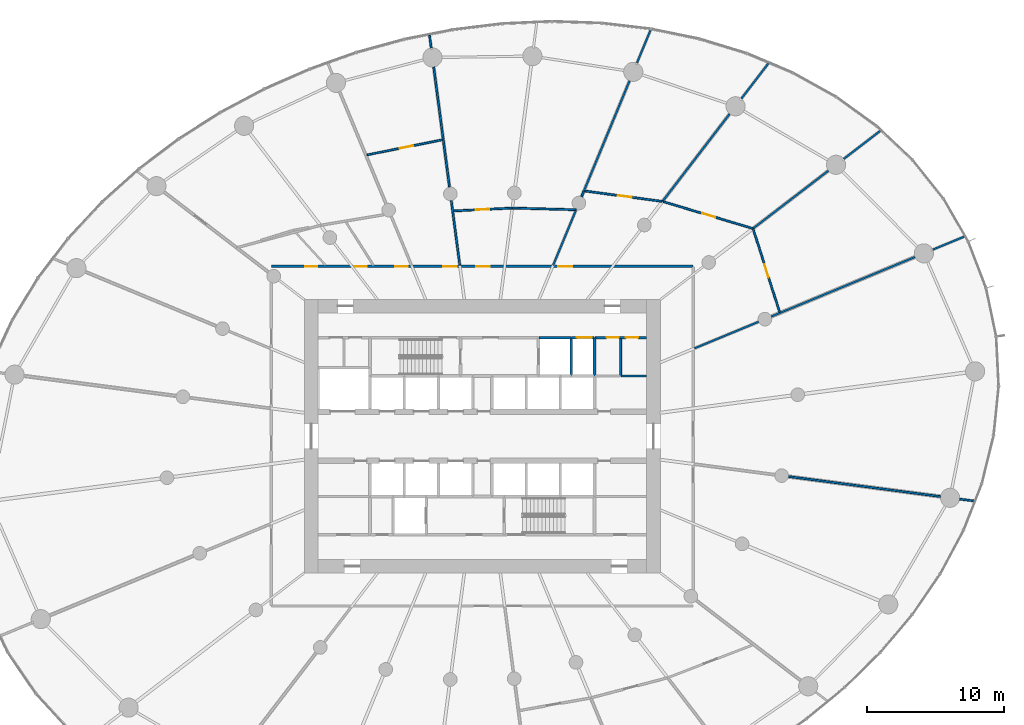
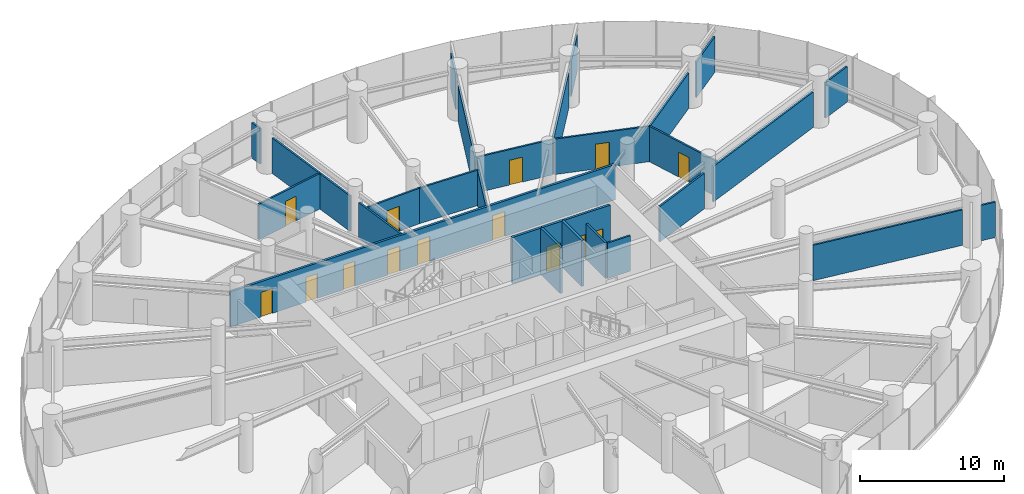
# One storey, part 14 of 18: 31 walls, 14 doors, 14 openings.
"""IFC4 building model written with IfcOpenShell, lengths in metres."""

from ifc_helpers import new_model, si_unit, direction, frame, frame_2d, origin, place, context, subcontext, project, spatial, rectangle, extrude, source, transform, mapped, material, layer, layer_set, type_object, element, fill, save


model = new_model("IFC4")

# Units and contexts
model_context = context("Model", 3, precision=1e-05, world=origin(), true_north=direction((0.0, 1.0)))
body_context = subcontext(model_context, "Body", "Model", "MODEL_VIEW")
ifc_project = project(units=[si_unit("LENGTHUNIT", "METRE"), si_unit("AREAUNIT", "SQUARE_METRE"), si_unit("VOLUMEUNIT", "CUBIC_METRE"), si_unit("PLANEANGLEUNIT", "RADIAN"), si_unit("MASSUNIT", "GRAM", prefix="KILO")], contexts=[model_context])

# Site, building, storey
site_placement = place(None, origin())
site = spatial("IfcSite", under=ifc_project, at=site_placement, CompositionType="ELEMENT")
building_placement = place(site_placement, origin())
building = spatial("IfcBuilding", under=site, at=building_placement, Name="Spindrift Exchange Tower", CompositionType="ELEMENT")
storey_placement = place(building_placement, frame((0.0, 0.0, 71.0)))
storey = spatial("IfcBuildingStorey", under=building, at=storey_placement, Name="L16", CompositionType="ELEMENT", Elevation=71.0)

# Wall, openings, doors
ifc_material_1 = material(Name="Fire-rated plasterboard partition", Category="gypsum")
ifc_layer_1 = layer(ifc_material_1, 0.179931640625)
ifc_layer_set_1 = layer_set([ifc_layer_1], Name="W-CORR-180")
wall_type_1 = type_object("IfcWallType", Name="W-CORR-180", PredefinedType="PARTITIONING", material=ifc_layer_set_1)
wall_1_placement = place(storey_placement, frame((63.97998046875, 55.199951171875, 0.0), z_axis=(0.0, 0.0, 1.0), x_axis=(-1.0, 0.0, 0.0)))
wall_1 = element("IfcWall", 1, at=wall_1_placement, inside=storey, type_object=wall_type_1, Name="L16 Partition wall 64", PredefinedType="PARTITIONING", context=body_context, shape_type="SweptSolid", body=[
    extrude(rectangle(XDim=3.75, YDim=0.179931640625, at=frame_2d((1.875, 0.0))), origin(), (0.0, 0.0, 1.0), 3.89990234375),
])
opening_1_placement = place(wall_1_placement, frame((2.0, 0.0, 0.0)))
opening_1 = element("IfcOpeningElement", 2, at=opening_1_placement, cuts=wall_1, Name="Opening L16-D52", PredefinedType="OPENING", context=body_context, shape_type="SweptSolid", body=[
    extrude(rectangle(XDim=0.89990234375, YDim=2.10009765625, at=frame_2d((0.449951171875, 1.050048828125))), frame((0.0, 0.099853515625, 0.0), z_axis=(0.0, -1.0, 0.0), x_axis=(1.0, 0.0, 0.0)), (0.0, 0.0, 1.0), 0.199951171875),
])
opening_2_placement = place(wall_1_placement, frame((0.60009765625, 0.0, 0.0)))
opening_2 = element("IfcOpeningElement", 3, at=opening_2_placement, cuts=wall_1, Name="Opening L16-D53", PredefinedType="OPENING", context=body_context, shape_type="SweptSolid", body=[
    extrude(rectangle(XDim=0.89990234375, YDim=2.10009765625, at=frame_2d((0.449951171875, 1.050048828125))), frame((0.0, 0.099853515625, 0.0), z_axis=(0.0, -1.0, 0.0), x_axis=(1.0, 0.0, 0.0)), (0.0, 0.0, 1.0), 0.199951171875),
])
ifc_material_2 = material(Name="Steel access door", Category="steel")
door_type_1 = type_object("IfcDoorType", Name="DR-RISER-900", OperationType="NOTDEFINED", PredefinedType="DOOR", material=ifc_material_2)
shared_shape_1 = source(origin(), body_context, "Body", "SweptSolid", [
    extrude(rectangle(XDim=0.89990234375, YDim=2.10009765625, at=frame_2d((0.449951171875, 1.050048828125))), frame((0.0, 0.02490234375, 0.0), z_axis=(0.0, -1.0, 0.0), x_axis=(1.0, 0.0, 0.0)), (0.0, 0.0, 1.0), 0.050048828125),
])
door_1_placement = place(opening_1_placement, origin())
door_1 = element("IfcDoor", 4, at=door_1_placement, inside=storey, type_object=door_type_1, Name="L16 Riser door 52", OperationType="SINGLE_SWING_RIGHT", OverallHeight=2.10009765625, OverallWidth=0.89990234375, PredefinedType="DOOR", context=body_context, shape_type="MappedRepresentation", body=[
    mapped(shared_shape_1, transform((0.0, 0.0, 0.0), scale=1.0)),
])
fill(opening_1, door_1)
door_2_placement = place(opening_2_placement, origin())
door_2 = element("IfcDoor", 5, at=door_2_placement, inside=storey, type_object=door_type_1, Name="L16 Riser door 53", OperationType="SINGLE_SWING_LEFT", OverallHeight=2.10009765625, OverallWidth=0.89990234375, PredefinedType="DOOR", context=body_context, shape_type="MappedRepresentation", body=[
    mapped(shared_shape_1, transform((0.0, 0.0, 0.0), scale=1.0)),
])
fill(opening_2, door_2)

# Walls
ifc_layer_2 = layer(ifc_material_1, 0.139892578125)
ifc_layer_set_2 = layer_set([ifc_layer_2], Name="W-PART-140")
wall_type_2 = type_object("IfcWallType", Name="W-PART-140", PredefinedType="PARTITIONING", material=ifc_layer_set_2)
wall_2_placement = place(storey_placement, frame((74.36328125, 45.055908203125, 0.0), z_axis=(0.0, 0.0, 1.0), x_axis=(0.991443306772, -0.130538000051, 0.0)))
element("IfcWall", 6, at=wall_2_placement, inside=storey, type_object=wall_type_2, Name="L16 Partition wall 68", PredefinedType="PARTITIONING", context=body_context, shape_type="SweptSolid", body=[
    extrude(rectangle(XDim=11.1953125, YDim=0.139892578125, at=frame_2d((5.59765625, 0.0))), origin(), (0.0, 0.0, 1.0), 3.0),
])
wall_3_placement = place(storey_placement, frame((59.422607421875, 65.919921875, 0.0), z_axis=(0.0, 0.0, 1.0), x_axis=(0.382676362581, 0.92388246088, 0.0)))
element("IfcWall", 7, at=wall_3_placement, inside=storey, type_object=wall_type_2, Name="L16 Partition wall 74", PredefinedType="PARTITIONING", context=body_context, shape_type="SweptSolid", body=[
    extrude(rectangle(XDim=8.70263671875, YDim=0.139892578125, at=frame_2d((4.351318359375, 0.0))), origin(), (0.0, 0.0, 1.0), 3.0),
])
wall_4_placement = place(storey_placement, frame((65.15771484375, 65.1474609375, 0.0), z_axis=(0.0, 0.0, 1.0), x_axis=(0.608766021213, 0.793349816548, 0.0)))
element("IfcWall", 8, at=wall_4_placement, inside=storey, type_object=wall_type_2, Name="L16 Partition wall 75", PredefinedType="PARTITIONING", context=body_context, shape_type="SweptSolid", body=[
    extrude(rectangle(XDim=8.058837890625, YDim=0.139892578125, at=frame_2d((4.029296875, 0.0))), origin(), (0.0, 0.0, 1.0), 3.0),
])
wall_5_placement = place(storey_placement, frame((71.770751953125, 63.170654296875, 0.0), z_axis=(0.0, 0.0, 1.0), x_axis=(0.793362269214, 0.608749792433, 0.0)))
element("IfcWall", 9, at=wall_5_placement, inside=storey, type_object=wall_type_2, Name="L16 Partition wall 76", PredefinedType="PARTITIONING", context=body_context, shape_type="SweptSolid", body=[
    extrude(rectangle(XDim=6.940185546875, YDim=0.139892578125, at=frame_2d((3.47021484375, 0.0))), origin(), (0.0, 0.0, 1.0), 3.0),
])
wall_6_placement = place(storey_placement, frame((49.14404296875, 69.6923828125, 0.0), z_axis=(0.0, 0.0, 1.0), x_axis=(-0.130515097822, 0.991446321916, 0.0)))
element("IfcWall", 10, at=wall_6_placement, inside=storey, type_object=wall_type_2, Name="L16 Partition wall 90", PredefinedType="PARTITIONING", context=body_context, shape_type="SweptSolid", body=[
    extrude(rectangle(XDim=5.316162109375, YDim=0.139892578125, at=frame_2d((2.658203125, 0.0))), origin(), (0.0, 0.0, 1.0), 3.0),
])
wall_7_placement = place(storey_placement, frame((58.85107421875, 64.539794921875, 0.0), z_axis=(0.0, 0.0, 1.0), x_axis=(-0.999641405582, 0.026777980617, 0.0)))
element("IfcWall", 11, at=wall_7_placement, inside=storey, type_object=wall_type_2, Name="L16 Partition wall 96", PredefinedType="PARTITIONING", context=body_context, shape_type="SweptSolid", body=[
    extrude(rectangle(XDim=4.658935546875, YDim=0.139892578125, at=frame_2d((2.32958984375, 0.0))), origin(), (0.0, 0.0, 1.0), 3.0),
])

# Wall, opening, door
wall_8_placement = place(storey_placement, frame((49.904296875, 64.455078125, 0.0), z_axis=(0.0, 0.0, 1.0), x_axis=(0.998809903791, 0.048772698191, 0.0)))
wall_8 = element("IfcWall", 12, at=wall_8_placement, inside=storey, type_object=wall_type_2, Name="L16 Partition wall 98", PredefinedType="PARTITIONING", context=body_context, shape_type="SweptSolid", body=[
    extrude(rectangle(XDim=4.264892578125, YDim=0.139892578125, at=frame_2d((2.13232421875, 0.0))), origin(), (0.0, 0.0, 1.0), 3.0),
])
opening_3_placement = place(wall_8_placement, frame((1.61474609375, 0.0, 0.0)))
opening_3 = element("IfcOpeningElement", 13, at=opening_3_placement, cuts=wall_8, Name="Opening L16-D44", PredefinedType="OPENING", context=body_context, shape_type="SweptSolid", body=[
    extrude(rectangle(XDim=1.0, YDim=2.10009765625, at=frame_2d((0.5, 1.050048828125))), frame((0.0, 0.079833984375, 0.0), z_axis=(0.0, -1.0, 0.0), x_axis=(1.0, 0.0, 0.0)), (0.0, 0.0, 1.0), 0.159912109375),
])
ifc_material_3 = material(Name="Timber-core fire door", Category="wood")
door_type_2 = type_object("IfcDoorType", Name="DR-ROOM-1000", OperationType="NOTDEFINED", PredefinedType="DOOR", material=ifc_material_3)
shared_shape_2 = source(origin(), body_context, "Body", "SweptSolid", [
    extrude(rectangle(XDim=1.0, YDim=2.10009765625, at=frame_2d((0.5, 1.050048828125))), frame((0.0, 0.02490234375, 0.0), z_axis=(0.0, -1.0, 0.0), x_axis=(1.0, 0.0, 0.0)), (0.0, 0.0, 1.0), 0.050048828125),
])
door_3_placement = place(opening_3_placement, origin())
door_3 = element("IfcDoor", 14, at=door_3_placement, inside=storey, type_object=door_type_2, Name="L16 Door 44", OperationType="SINGLE_SWING_RIGHT", OverallHeight=2.10009765625, OverallWidth=1.0, PredefinedType="DOOR", context=body_context, shape_type="MappedRepresentation", body=[
    mapped(shared_shape_2, transform((0.0, 0.0, 0.0), scale=1.0)),
])
fill(opening_3, door_3)

# Walls
wall_9_placement = place(storey_placement, frame((78.394287109375, 68.253173828125, 0.0), z_axis=(0.0, 0.0, 1.0), x_axis=(0.793347702256, 0.608768776569, 0.0)))
element("IfcWall", 15, at=wall_9_placement, inside=storey, type_object=wall_type_2, Name="L16 Partition wall 104", PredefinedType="PARTITIONING", context=body_context, shape_type="SweptSolid", body=[
    extrude(rectangle(XDim=3.3583984375, YDim=0.139892578125, at=frame_2d((1.67919921875, 0.0))), origin(), (0.0, 0.0, 1.0), 3.0),
])
wall_10_placement = place(storey_placement, frame((70.9208984375, 72.658447265625, 0.0), z_axis=(0.0, 0.0, 1.0), x_axis=(0.608787991926, 0.793332957141, 0.0)))
element("IfcWall", 16, at=wall_10_placement, inside=storey, type_object=wall_type_2, Name="L16 Partition wall 107", PredefinedType="PARTITIONING", context=body_context, shape_type="SweptSolid", body=[
    extrude(rectangle(XDim=3.2490234375, YDim=0.139892578125, at=frame_2d((1.62451171875, 0.0))), origin(), (0.0, 0.0, 1.0), 3.0),
])
wall_11_placement = place(storey_placement, frame((62.10009765625, 52.39990234375, 0.0), z_axis=(0.0, 0.0, 1.0), x_axis=(0.0, 1.0, 0.0)))
element("IfcWall", 17, at=wall_11_placement, inside=storey, type_object=wall_type_2, Name="L16 Partition wall 109", PredefinedType="PARTITIONING", context=body_context, shape_type="SweptSolid", body=[
    extrude(rectangle(XDim=2.710205078125, YDim=0.139892578125, at=frame_2d((1.35498046875, 0.0))), origin(), (0.0, 0.0, 1.0), 3.0),
])
wall_12_placement = place(storey_placement, frame((63.29248046875, 75.2626953125, 0.0), z_axis=(0.0, 0.0, 1.0), x_axis=(0.382735718693, 0.923857873072, 0.0)))
element("IfcWall", 18, at=wall_12_placement, inside=storey, type_object=wall_type_2, Name="L16 Partition wall 110", PredefinedType="PARTITIONING", context=body_context, shape_type="SweptSolid", body=[
    extrude(rectangle(XDim=2.58349609375, YDim=0.139892578125, at=frame_2d((1.291748046875, 0.0))), origin(), (0.0, 0.0, 1.0), 3.0),
])
wall_13_placement = place(storey_placement, frame((84.900146484375, 61.627685546875, 0.0), z_axis=(0.0, 0.0, 1.0), x_axis=(0.92388481198, 0.382670686352, 0.0)))
element("IfcWall", 19, at=wall_13_placement, inside=storey, type_object=wall_type_2, Name="L16 Partition wall 112", PredefinedType="PARTITIONING", context=body_context, shape_type="SweptSolid", body=[
    extrude(rectangle(XDim=2.479248046875, YDim=0.139892578125, at=frame_2d((1.23974609375, 0.0))), origin(), (0.0, 0.0, 1.0), 3.0),
])
wall_14_placement = place(storey_placement, frame((63.97998046875, 52.39990234375, 0.0), z_axis=(0.0, 0.0, 1.0), x_axis=(-1.0, 0.0, 0.0)))
element("IfcWall", 20, at=wall_14_placement, inside=storey, type_object=wall_type_2, Name="L16 Partition wall 115", PredefinedType="PARTITIONING", context=body_context, shape_type="SweptSolid", body=[
    extrude(rectangle(XDim=1.85009765625, YDim=0.139892578125, at=frame_2d((0.925048828125, 0.0))), origin(), (0.0, 0.0, 1.0), 3.0),
])
wall_15_placement = place(storey_placement, frame((86.859375, 43.41064453125, 0.0), z_axis=(0.0, 0.0, 1.0), x_axis=(0.991441129852, -0.130554532814, 0.0)))
element("IfcWall", 21, at=wall_15_placement, inside=storey, type_object=wall_type_2, Name="L16 Partition wall 118", PredefinedType="PARTITIONING", context=body_context, shape_type="SweptSolid", body=[
    extrude(rectangle(XDim=1.073486328125, YDim=0.139892578125, at=frame_2d((0.53662109375, 0.0))), origin(), (0.0, 0.0, 1.0), 3.0),
])
wall_16_placement = place(storey_placement, frame((48.266357421875, 76.359619140625, 0.0), z_axis=(0.0, 0.0, 1.0), x_axis=(-0.130495264695, 0.991448932569, 0.0)))
element("IfcWall", 22, at=wall_16_placement, inside=storey, type_object=wall_type_2, Name="L16 Partition wall 122", PredefinedType="PARTITIONING", context=body_context, shape_type="SweptSolid", body=[
    extrude(rectangle(XDim=0.929931640625, YDim=0.139892578125, at=frame_2d((0.46484375, 0.0))), origin(), (0.0, 0.0, 1.0), 3.0),
])
ifc_layer_3 = layer(ifc_material_1, 0.139892578125)
ifc_layer_set_3 = layer_set([ifc_layer_3], Name="W-PLANT-140")
wall_type_3 = type_object("IfcWallType", Name="W-PLANT-140", PredefinedType="PARTITIONING", material=ifc_layer_set_3)
wall_17_placement = place(storey_placement, frame((73.10595703125, 56.7421875, 0.0), z_axis=(0.0, 0.0, 1.0), x_axis=(0.923875075531, 0.382694192291, 0.0)))
element("IfcWall", 23, at=wall_17_placement, inside=storey, type_object=wall_type_3, Name="L16 Partition wall 65", PredefinedType="PARTITIONING", context=body_context, shape_type="SweptSolid", body=[
    extrude(rectangle(XDim=11.356201171875, YDim=0.139892578125, at=frame_2d((5.67822265625, 0.0))), origin(), (0.0, 0.0, 1.0), 3.0),
])

# Wall, opening, door
wall_18_placement = place(storey_placement, frame((65.2294921875, 65.126220703125, 0.0), z_axis=(0.0, 0.0, 1.0), x_axis=(0.95810065558, -0.286431726205, 0.0)))
wall_18 = element("IfcWall", 24, at=wall_18_placement, inside=storey, type_object=wall_type_3, Name="L16 Partition wall 77", PredefinedType="PARTITIONING", context=body_context, shape_type="SweptSolid", body=[
    extrude(rectangle(XDim=6.797607421875, YDim=0.139892578125, at=frame_2d((3.39892578125, 0.0))), origin(), (0.0, 0.0, 1.0), 3.0),
])
opening_4_placement = place(wall_18_placement, frame((2.947265625, 0.0, 0.0)))
opening_4 = element("IfcOpeningElement", 25, at=opening_4_placement, cuts=wall_18, Name="Opening L16-D41", PredefinedType="OPENING", context=body_context, shape_type="SweptSolid", body=[
    extrude(rectangle(XDim=1.0, YDim=2.10009765625, at=frame_2d((0.5, 1.050048828125))), frame((0.0, 0.079833984375, 0.0), z_axis=(0.0, -1.0, 0.0), x_axis=(1.0, 0.0, 0.0)), (0.0, 0.0, 1.0), 0.159912109375),
])
door_4_placement = place(opening_4_placement, origin())
door_4 = element("IfcDoor", 26, at=door_4_placement, inside=storey, type_object=door_type_2, Name="L16 Door 41", OperationType="SINGLE_SWING_LEFT", OverallHeight=2.10009765625, OverallWidth=1.0, PredefinedType="DOOR", context=body_context, shape_type="MappedRepresentation", body=[
    mapped(shared_shape_2, transform((0.0, 0.0, 0.0), scale=1.0)),
])
fill(opening_4, door_4)

wall_19_placement = place(storey_placement, frame((71.77978515625, 63.14208984375, 0.0), z_axis=(0.0, 0.0, 1.0), x_axis=(0.303141987912, -0.952945399887, 0.0)))
wall_19 = element("IfcWall", 27, at=wall_19_placement, inside=storey, type_object=wall_type_3, Name="L16 Partition wall 81", PredefinedType="PARTITIONING", context=body_context, shape_type="SweptSolid", body=[
    extrude(rectangle(XDim=6.372802734375, YDim=0.139892578125, at=frame_2d((3.1865234375, 0.0))), origin(), (0.0, 0.0, 1.0), 3.0),
])
opening_5_placement = place(wall_19_placement, frame((2.722900390625, 0.0, 0.0)))
opening_5 = element("IfcOpeningElement", 28, at=opening_5_placement, cuts=wall_19, Name="Opening L16-D40", PredefinedType="OPENING", context=body_context, shape_type="SweptSolid", body=[
    extrude(rectangle(XDim=1.0, YDim=2.10009765625, at=frame_2d((0.5, 1.050048828125))), frame((0.0, 0.079833984375, 0.0), z_axis=(0.0, -1.0, 0.0), x_axis=(1.0, 0.0, 0.0)), (0.0, 0.0, 1.0), 0.159912109375),
])
door_5_placement = place(opening_5_placement, origin())
door_5 = element("IfcDoor", 29, at=door_5_placement, inside=storey, type_object=door_type_2, Name="L16 Door 40", OperationType="SINGLE_SWING_RIGHT", OverallHeight=2.10009765625, OverallWidth=1.0, PredefinedType="DOOR", context=body_context, shape_type="MappedRepresentation", body=[
    mapped(shared_shape_2, transform((0.0, 0.0, 0.0), scale=1.0)),
])
fill(opening_5, door_5)

wall_20_placement = place(storey_placement, frame((59.494384765625, 65.91015625, 0.0), z_axis=(0.0, 0.0, 1.0), x_axis=(0.991057166824, -0.133437970936, 0.0)))
wall_20 = element("IfcWall", 30, at=wall_20_placement, inside=storey, type_object=wall_type_3, Name="L16 Partition wall 86", PredefinedType="PARTITIONING", context=body_context, shape_type="SweptSolid", body=[
    extrude(rectangle(XDim=5.6845703125, YDim=0.139892578125, at=frame_2d((2.84228515625, 0.0))), origin(), (0.0, 0.0, 1.0), 3.0),
])
opening_6_placement = place(wall_20_placement, frame((2.4345703125, 0.0, 0.0)))
opening_6 = element("IfcOpeningElement", 31, at=opening_6_placement, cuts=wall_20, Name="Opening L16-D42", PredefinedType="OPENING", context=body_context, shape_type="SweptSolid", body=[
    extrude(rectangle(XDim=1.0, YDim=2.10009765625, at=frame_2d((0.5, 1.050048828125))), frame((0.0, 0.079833984375, 0.0), z_axis=(0.0, -1.0, 0.0), x_axis=(1.0, 0.0, 0.0)), (0.0, 0.0, 1.0), 0.159912109375),
])
door_6_placement = place(opening_6_placement, origin())
door_6 = element("IfcDoor", 32, at=door_6_placement, inside=storey, type_object=door_type_2, Name="L16 Door 42", OperationType="SINGLE_SWING_RIGHT", OverallHeight=2.10009765625, OverallWidth=1.0, PredefinedType="DOOR", context=body_context, shape_type="MappedRepresentation", body=[
    mapped(shared_shape_2, transform((0.0, 0.0, 0.0), scale=1.0)),
])
fill(opening_6, door_6)

wall_21_placement = place(storey_placement, frame((43.56640625, 68.543212890625, 0.0), z_axis=(0.0, 0.0, 1.0), x_axis=(0.980468350945, 0.196676924916, 0.0)))
wall_21 = element("IfcWall", 33, at=wall_21_placement, inside=storey, type_object=wall_type_3, Name="L16 Partition wall 87", PredefinedType="PARTITIONING", context=body_context, shape_type="SweptSolid", body=[
    extrude(rectangle(XDim=5.692626953125, YDim=0.139892578125, at=frame_2d((2.84619140625, 0.0))), origin(), (0.0, 0.0, 1.0), 3.0),
])
opening_7_placement = place(wall_21_placement, frame((2.442626953125, 0.0, 0.0)))
opening_7 = element("IfcOpeningElement", 34, at=opening_7_placement, cuts=wall_21, Name="Opening L16-D46", PredefinedType="OPENING", context=body_context, shape_type="SweptSolid", body=[
    extrude(rectangle(XDim=1.0, YDim=2.10009765625, at=frame_2d((0.5, 1.050048828125))), frame((0.0, 0.079833984375, 0.0), z_axis=(0.0, -1.0, 0.0), x_axis=(1.0, 0.0, 0.0)), (0.0, 0.0, 1.0), 0.159912109375),
])
door_7_placement = place(opening_7_placement, origin())
door_7 = element("IfcDoor", 35, at=door_7_placement, inside=storey, type_object=door_type_2, Name="L16 Door 46", OperationType="SINGLE_SWING_RIGHT", OverallHeight=2.10009765625, OverallWidth=1.0, PredefinedType="DOOR", context=body_context, shape_type="MappedRepresentation", body=[
    mapped(shared_shape_2, transform((0.0, 0.0, 0.0), scale=1.0)),
])
fill(opening_7, door_7)

# Walls
wall_22_placement = place(storey_placement, frame((67.489990234375, 54.416259765625, 0.0), z_axis=(0.0, 0.0, 1.0), x_axis=(0.923890025086, 0.382658100067, 0.0)))
element("IfcWall", 36, at=wall_22_placement, inside=storey, type_object=wall_type_3, Name="L16 Partition wall 92", PredefinedType="PARTITIONING", context=body_context, shape_type="SweptSolid", body=[
    extrude(rectangle(XDim=5.068359375, YDim=0.139892578125, at=frame_2d((2.5341796875, 0.0))), origin(), (0.0, 0.0, 1.0), 3.0),
])
wall_23_placement = place(storey_placement, frame((49.735107421875, 65.203125, 0.0), z_axis=(0.0, 0.0, 1.0), x_axis=(0.130548834981, -0.991441880135, 0.0)))
element("IfcWall", 37, at=wall_23_placement, inside=storey, type_object=wall_type_3, Name="L16 Partition wall 93", PredefinedType="PARTITIONING", context=body_context, shape_type="SweptSolid", body=[
    extrude(rectangle(XDim=4.75390625, YDim=0.139892578125, at=frame_2d((2.376953125, 0.0))), origin(), (0.0, 0.0, 1.0), 3.0),
])
wall_24_placement = place(storey_placement, frame((57.173583984375, 60.489990234375, 0.0), z_axis=(0.0, 0.0, 1.0), x_axis=(0.382647054989, 0.923894599675, 0.0)))
element("IfcWall", 38, at=wall_24_placement, inside=storey, type_object=wall_type_3, Name="L16 Partition wall 97", PredefinedType="PARTITIONING", context=body_context, shape_type="SweptSolid", body=[
    extrude(rectangle(XDim=4.30859375, YDim=0.139892578125, at=frame_2d((2.154296875, 0.0))), origin(), (0.0, 0.0, 1.0), 3.0),
])
wall_25_placement = place(storey_placement, frame((49.603515625, 66.203369140625, 0.0), z_axis=(0.0, 0.0, 1.0), x_axis=(-0.130526548141, 0.991444814516, 0.0)))
element("IfcWall", 39, at=wall_25_placement, inside=storey, type_object=wall_type_3, Name="L16 Partition wall 102", PredefinedType="PARTITIONING", context=body_context, shape_type="SweptSolid", body=[
    extrude(rectangle(XDim=3.419189453125, YDim=0.139892578125, at=frame_2d((1.70947265625, 0.0))), origin(), (0.0, 0.0, 1.0), 3.0),
])
wall_26_placement = place(storey_placement, frame((59.247802734375, 65.497802734375, 0.0), z_axis=(0.0, 0.0, 1.0), x_axis=(0.382705452121, 0.923870411322, 0.0)))
element("IfcWall", 40, at=wall_26_placement, inside=storey, type_object=wall_type_3, Name="L16 Partition wall 126", PredefinedType="PARTITIONING", context=body_context, shape_type="SweptSolid", body=[
    extrude(rectangle(XDim=0.4267578125, YDim=0.139892578125, at=frame_2d((0.21337890625, 0.0))), origin(), (0.0, 0.0, 1.0), 3.0),
])

# Wall, openings, doors
ifc_layer_4 = layer(ifc_material_1, 0.179931640625)
ifc_layer_set_4 = layer_set([ifc_layer_4], Name="W-PLANT-180")
wall_type_4 = type_object("IfcWallType", Name="W-PLANT-180", PredefinedType="PARTITIONING", material=ifc_layer_set_4)
wall_27_placement = place(storey_placement, frame((36.60009765625, 60.39990234375, 0.0), z_axis=(0.0, 0.0, 1.0), x_axis=(1.0, 0.0, 0.0)))
wall_27 = element("IfcWall", 41, at=wall_27_placement, inside=storey, type_object=wall_type_4, Name="L16 Partition wall 58", PredefinedType="PARTITIONING", context=body_context, shape_type="SweptSolid", body=[
    extrude(rectangle(XDim=30.7998046875, YDim=0.179931640625, at=frame_2d((15.39990234375, 0.0))), origin(), (0.0, 0.0, 1.0), 3.0),
])
opening_8_placement = place(wall_27_placement, frame((9.050048828125, 0.0, 0.0)))
opening_8 = element("IfcOpeningElement", 42, at=opening_8_placement, cuts=wall_27, Name="Opening L16-D24", PredefinedType="OPENING", context=body_context, shape_type="SweptSolid", body=[
    extrude(rectangle(XDim=0.89990234375, YDim=2.10009765625, at=frame_2d((0.449951171875, 1.050048828125))), frame((0.0, 0.099853515625, 0.0), z_axis=(0.0, -1.0, 0.0), x_axis=(1.0, 0.0, 0.0)), (0.0, 0.0, 1.0), 0.199951171875),
])
opening_9_placement = place(wall_27_placement, frame((6.050048828125, 0.0, 0.0)))
opening_9 = element("IfcOpeningElement", 43, at=opening_9_placement, cuts=wall_27, Name="Opening L16-D25", PredefinedType="OPENING", context=body_context, shape_type="SweptSolid", body=[
    extrude(rectangle(XDim=0.89990234375, YDim=2.10009765625, at=frame_2d((0.449951171875, 1.050048828125))), frame((0.0, 0.099853515625, 0.0), z_axis=(0.0, -1.0, 0.0), x_axis=(1.0, 0.0, 0.0)), (0.0, 0.0, 1.0), 0.199951171875),
])
opening_10_placement = place(wall_27_placement, frame((2.449951171875, 0.0, 0.0)))
opening_10 = element("IfcOpeningElement", 44, at=opening_10_placement, cuts=wall_27, Name="Opening L16-D26", PredefinedType="OPENING", context=body_context, shape_type="SweptSolid", body=[
    extrude(rectangle(XDim=0.89990234375, YDim=2.10009765625, at=frame_2d((0.449951171875, 1.050048828125))), frame((0.0, 0.099853515625, 0.0), z_axis=(0.0, -1.0, 0.0), x_axis=(1.0, 0.0, 0.0)), (0.0, 0.0, 1.0), 0.199951171875),
])
opening_11_placement = place(wall_27_placement, frame((20.949951171875, 0.0, 0.0)))
opening_11 = element("IfcOpeningElement", 45, at=opening_11_placement, cuts=wall_27, Name="Opening L16-D39", PredefinedType="OPENING", context=body_context, shape_type="SweptSolid", body=[
    extrude(rectangle(XDim=1.0, YDim=2.10009765625, at=frame_2d((0.5, 1.050048828125))), frame((0.0, 0.099853515625, 0.0), z_axis=(0.0, -1.0, 0.0), x_axis=(1.0, 0.0, 0.0)), (0.0, 0.0, 1.0), 0.199951171875),
])
opening_12_placement = place(wall_27_placement, frame((14.949951171875, 0.0, 0.0)))
opening_12 = element("IfcOpeningElement", 46, at=opening_12_placement, cuts=wall_27, Name="Opening L16-D43", PredefinedType="OPENING", context=body_context, shape_type="SweptSolid", body=[
    extrude(rectangle(XDim=1.0, YDim=2.10009765625, at=frame_2d((0.5, 1.050048828125))), frame((0.0, 0.099853515625, 0.0), z_axis=(0.0, -1.0, 0.0), x_axis=(1.0, 0.0, 0.0)), (0.0, 0.0, 1.0), 0.199951171875),
])
opening_13_placement = place(wall_27_placement, frame((12.550048828125, 0.0, 0.0)))
opening_13 = element("IfcOpeningElement", 47, at=opening_13_placement, cuts=wall_27, Name="Opening L16-D45", PredefinedType="OPENING", context=body_context, shape_type="SweptSolid", body=[
    extrude(rectangle(XDim=1.0, YDim=2.10009765625, at=frame_2d((0.5, 1.050048828125))), frame((0.0, 0.099853515625, 0.0), z_axis=(0.0, -1.0, 0.0), x_axis=(1.0, 0.0, 0.0)), (0.0, 0.0, 1.0), 0.199951171875),
])
door_8_placement = place(opening_11_placement, origin())
door_8 = element("IfcDoor", 48, at=door_8_placement, inside=storey, type_object=door_type_2, Name="L16 Door 39", OperationType="SINGLE_SWING_LEFT", OverallHeight=2.10009765625, OverallWidth=1.0, PredefinedType="DOOR", context=body_context, shape_type="MappedRepresentation", body=[
    mapped(shared_shape_2, transform((0.0, 0.0, 0.0), scale=1.0)),
])
fill(opening_11, door_8)
door_9_placement = place(opening_12_placement, origin())
door_9 = element("IfcDoor", 49, at=door_9_placement, inside=storey, type_object=door_type_2, Name="L16 Door 43", OperationType="SINGLE_SWING_LEFT", OverallHeight=2.10009765625, OverallWidth=1.0, PredefinedType="DOOR", context=body_context, shape_type="MappedRepresentation", body=[
    mapped(shared_shape_2, transform((0.0, 0.0, 0.0), scale=1.0)),
])
fill(opening_12, door_9)
door_10_placement = place(opening_13_placement, origin())
door_10 = element("IfcDoor", 50, at=door_10_placement, inside=storey, type_object=door_type_2, Name="L16 Door 45", OperationType="SINGLE_SWING_LEFT", OverallHeight=2.10009765625, OverallWidth=1.0, PredefinedType="DOOR", context=body_context, shape_type="MappedRepresentation", body=[
    mapped(shared_shape_2, transform((0.0, 0.0, 0.0), scale=1.0)),
])
fill(opening_13, door_10)
ifc_material_4 = material(Name="Laminate washroom door", Category="wood")
door_type_3 = type_object("IfcDoorType", Name="DR-WC-900", OperationType="NOTDEFINED", PredefinedType="DOOR", material=ifc_material_4)
shared_shape_3 = source(origin(), body_context, "Body", "SweptSolid", [
    extrude(rectangle(XDim=0.89990234375, YDim=2.10009765625, at=frame_2d((0.449951171875, 1.050048828125))), frame((0.0, 0.02490234375, 0.0), z_axis=(0.0, -1.0, 0.0), x_axis=(1.0, 0.0, 0.0)), (0.0, 0.0, 1.0), 0.050048828125),
])
door_11_placement = place(opening_8_placement, origin())
door_11 = element("IfcDoor", 51, at=door_11_placement, inside=storey, type_object=door_type_3, Name="L16 WC door 24", OperationType="SINGLE_SWING_RIGHT", OverallHeight=2.10009765625, OverallWidth=0.89990234375, PredefinedType="DOOR", context=body_context, shape_type="MappedRepresentation", body=[
    mapped(shared_shape_3, transform((0.0, 0.0, 0.0), scale=1.0)),
])
fill(opening_8, door_11)
door_12_placement = place(opening_9_placement, origin())
door_12 = element("IfcDoor", 52, at=door_12_placement, inside=storey, type_object=door_type_3, Name="L16 WC door 25", OperationType="SINGLE_SWING_LEFT", OverallHeight=2.10009765625, OverallWidth=0.89990234375, PredefinedType="DOOR", context=body_context, shape_type="MappedRepresentation", body=[
    mapped(shared_shape_3, transform((0.0, 0.0, 0.0), scale=1.0)),
])
fill(opening_9, door_12)
door_13_placement = place(opening_10_placement, origin())
door_13 = element("IfcDoor", 53, at=door_13_placement, inside=storey, type_object=door_type_3, Name="L16 WC door 26", OperationType="SINGLE_SWING_RIGHT", OverallHeight=2.10009765625, OverallWidth=0.89990234375, PredefinedType="DOOR", context=body_context, shape_type="MappedRepresentation", body=[
    mapped(shared_shape_3, transform((0.0, 0.0, 0.0), scale=1.0)),
])
fill(opening_10, door_13)

# Walls
ifc_material_5 = material(Name="Concrete 40 MPa", Category="concrete")
ifc_layer_5 = layer(ifc_material_5, 0.199951171875)
ifc_layer_set_5 = layer_set([ifc_layer_5], Name="W-SHAFT-200")
wall_type_5 = type_object("IfcWallType", Name="W-SHAFT-200", PredefinedType="SOLIDWALL", material=ifc_layer_set_5)
for number, where, z_axis, x_axis, name in (
    (54, (58.5, 52.39990234375, 0.0), (0.0, 0.0, 1.0), (0.0, 1.0, 0.0), "L16 Shaft wall 13"),
    (55, (60.199951171875, 52.39990234375, 0.0), (0.0, 0.0, 1.0), (0.0, 1.0, 0.0), "L16 Shaft wall 14"),
):
    element("IfcWall", number, at=place(storey_placement, frame(where, z_axis=z_axis, x_axis=x_axis)), inside=storey, type_object=wall_type_5, Name=name, PredefinedType="SOLIDWALL", context=body_context, shape_type="SweptSolid", body=[
        extrude(rectangle(XDim=2.800048828125, YDim=0.199951171875, at=frame_2d((1.39990234375, 0.0))), origin(), (0.0, 0.0, 1.0), 3.89990234375),
    ])
wall_28_placement = place(storey_placement, frame((58.469970703125, 55.199951171875, 0.0), z_axis=(0.0, 0.0, 1.0), x_axis=(-1.0, 0.0, 0.0)))
element("IfcWall", 56, at=wall_28_placement, inside=storey, type_object=wall_type_5, Name="L16 Shaft wall 22", PredefinedType="SOLIDWALL", context=body_context, shape_type="SweptSolid", body=[
    extrude(rectangle(XDim=2.340087890625, YDim=0.199951171875, at=frame_2d((1.169921875, 0.0))), origin(), (0.0, 0.0, 1.0), 3.89990234375),
])

# Wall, opening, door
wall_29_placement = place(storey_placement, frame((60.169921875, 55.199951171875, 0.0), z_axis=(0.0, 0.0, 1.0), x_axis=(-1.0, 0.0, 0.0)))
wall_29 = element("IfcWall", 57, at=wall_29_placement, inside=storey, type_object=wall_type_5, Name="L16 Shaft wall 43", PredefinedType="SOLIDWALL", context=body_context, shape_type="SweptSolid", body=[
    extrude(rectangle(XDim=1.639892578125, YDim=0.199951171875, at=frame_2d((0.81982421875, 0.0))), origin(), (0.0, 0.0, 1.0), 3.89990234375),
])
opening_14_placement = place(wall_29_placement, frame((0.169921875, 0.0, 0.0)))
opening_14 = element("IfcOpeningElement", 58, at=opening_14_placement, cuts=wall_29, Name="Opening L16-D11", PredefinedType="OPENING", context=body_context, shape_type="SweptSolid", body=[
    extrude(rectangle(XDim=1.10009765625, YDim=2.10009765625, at=frame_2d((0.550048828125, 1.050048828125))), frame((0.0, 0.10986328125, 0.0), z_axis=(0.0, -1.0, 0.0), x_axis=(1.0, 0.0, 0.0)), (0.0, 0.0, 1.0), 0.219970703125),
])
ifc_material_6 = material(Name="Stainless steel landing door", Category="steel")
door_type_4 = type_object("IfcDoorType", Name="DR-LANDING-1100-SL", OperationType="DOUBLE_DOOR_SLIDING", PredefinedType="USERDEFINED", material=ifc_material_6)
shared_shape_4 = source(origin(), body_context, "Body", "SweptSolid", [
    extrude(rectangle(XDim=1.10009765625, YDim=2.10009765625, at=frame_2d((0.550048828125, 1.050048828125))), frame((0.0, 0.02490234375, 0.0), z_axis=(0.0, -1.0, 0.0), x_axis=(1.0, 0.0, 0.0)), (0.0, 0.0, 1.0), 0.050048828125),
])
door_14_placement = place(opening_14_placement, origin())
door_14 = element("IfcDoor", 59, at=door_14_placement, inside=storey, type_object=door_type_4, Name="L16 Lift landing door 11", ObjectType="LANDING DOOR", OperationType="DOUBLE_DOOR_SLIDING", OverallHeight=2.10009765625, OverallWidth=1.10009765625, PredefinedType="USERDEFINED", context=body_context, shape_type="MappedRepresentation", body=[
    mapped(shared_shape_4, transform((0.0, 0.0, 0.0), scale=1.0)),
])
fill(opening_14, door_14)

save(model, "model.ifc")
